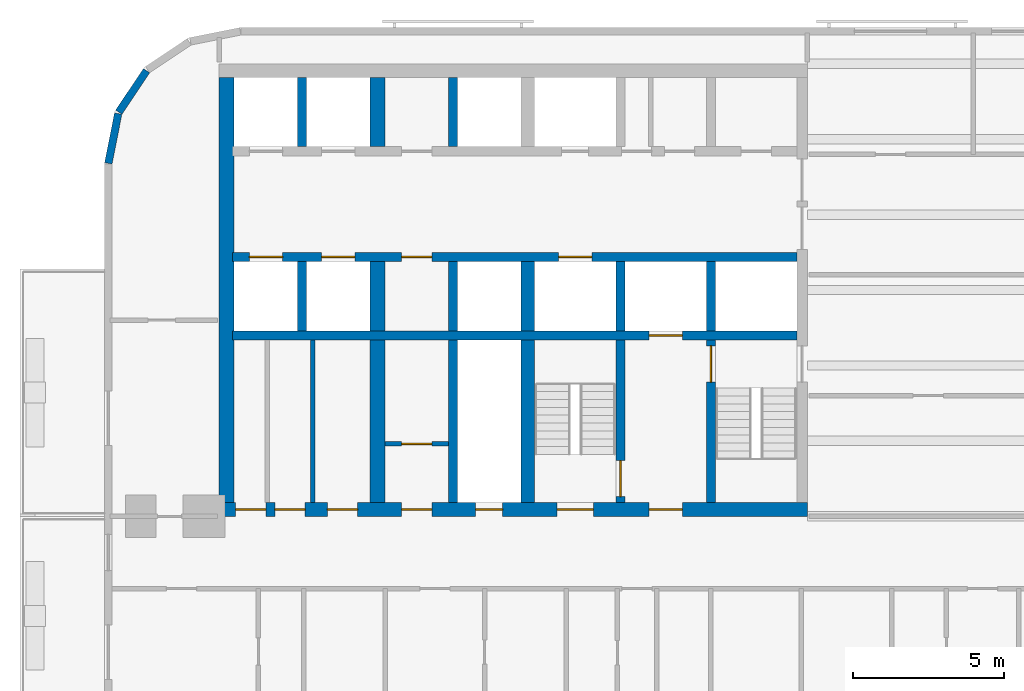
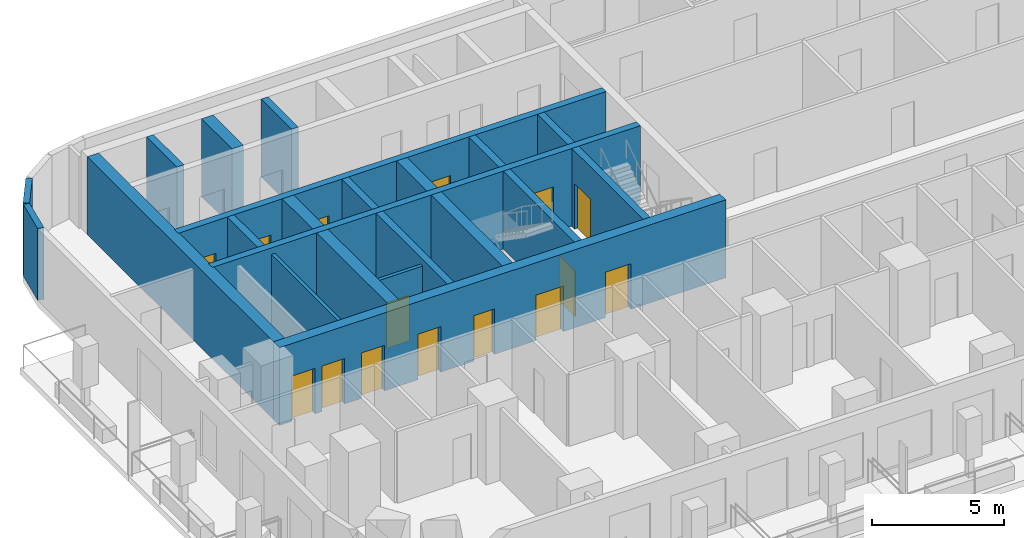
# One storey, part 3 of 14: 22 walls, 15 doors, 15 openings.
"""IFC4 building model written with IfcOpenShell, lengths in metres."""

from ifc_helpers import new_model, si_unit, direction, frame, frame_2d, origin, place, context, subcontext, project, spatial, rectangle, extrude, material, layer, layer_set, type_object, element, fill, save


model = new_model("IFC4")

# Units and contexts
model_context = context("Model", 3, precision=1e-05, world=origin(), true_north=direction((0.0, 1.0)))
body_context = subcontext(model_context, "Body", "Model", "MODEL_VIEW")
ifc_project = project(units=[si_unit("LENGTHUNIT", "METRE"), si_unit("AREAUNIT", "SQUARE_METRE"), si_unit("VOLUMEUNIT", "CUBIC_METRE"), si_unit("PLANEANGLEUNIT", "RADIAN"), si_unit("MASSUNIT", "GRAM", prefix="KILO")], contexts=[model_context])

# Site, building, storey
site_placement = place(None, origin())
site = spatial("IfcSite", under=ifc_project, at=site_placement, CompositionType="ELEMENT")
building_placement = place(site_placement, origin())
building = spatial("IfcBuilding", under=site, at=building_placement, Name="Torana Hotel and Residences", CompositionType="ELEMENT")
storey_placement = place(building_placement, frame((0.0, 0.0, 85.199951171875)))
storey = spatial("IfcBuildingStorey", under=building, at=storey_placement, Name="L21", CompositionType="ELEMENT", Elevation=85.199951171875)

# Wall, openings, doors
ifc_material_1 = material(Name="Concrete C80/95", Category="concrete")
ifc_layer_1 = layer(ifc_material_1, 0.300048828125)
ifc_layer_set_1 = layer_set([ifc_layer_1], Name="CORE WALL 300 C80/95")
wall_type_1 = type_object("IfcWallType", Name="CORE WALL 300 C80/95", PredefinedType="SHEAR", material=ifc_layer_set_1)
wall_1_placement = place(storey_placement, frame((-29.050048828125, -6.39990234375, 0.0), z_axis=(0.0, 0.0, 1.0), x_axis=(1.0, 0.0, 0.0)))
wall_1 = element("IfcWall", 1, at=wall_1_placement, inside=storey, type_object=wall_type_1, Name="Core wall W row-S", PredefinedType="SHEAR", context=body_context, shape_type="SweptSolid", body=[
    extrude(rectangle(XDim=18.699951171875, YDim=0.300048828125, at=frame_2d((9.35009765625, 0.0))), origin(), (0.0, 0.0, 1.0), 3.60009765625),
])
opening_1_placement = place(wall_1_placement, frame((2.949951171875, 0.0, 0.0)))
opening_1 = element("IfcOpeningElement", 2, at=opening_1_placement, cuts=wall_1, Name="Opening LD", PredefinedType="OPENING", context=body_context, shape_type="SweptSolid", body=[
    extrude(rectangle(XDim=1.10009765625, YDim=2.10009765625, at=frame_2d((0.550048828125, 1.050048828125))), frame((0.0, 0.159912109375, 0.0), z_axis=(0.0, -1.0, 0.0), x_axis=(1.0, 0.0, 0.0)), (0.0, 0.0, 1.0), 0.320068359375),
])
opening_2_placement = place(wall_1_placement, frame((0.550048828125, 0.0, 0.0)))
opening_2 = element("IfcOpeningElement", 3, at=opening_2_placement, cuts=wall_1, Name="Opening LD", PredefinedType="OPENING", context=body_context, shape_type="SweptSolid", body=[
    extrude(rectangle(XDim=1.10009765625, YDim=2.10009765625, at=frame_2d((0.550048828125, 1.050048828125))), frame((0.0, 0.159912109375, 0.0), z_axis=(0.0, -1.0, 0.0), x_axis=(1.0, 0.0, 0.0)), (0.0, 0.0, 1.0), 0.320068359375),
])
opening_3_placement = place(wall_1_placement, frame((10.800048828125, 0.0, 0.0)))
opening_3 = element("IfcOpeningElement", 4, at=opening_3_placement, cuts=wall_1, Name="Opening LD", PredefinedType="OPENING", context=body_context, shape_type="SweptSolid", body=[
    extrude(rectangle(XDim=1.10009765625, YDim=2.10009765625, at=frame_2d((0.550048828125, 1.050048828125))), frame((0.0, 0.159912109375, 0.0), z_axis=(0.0, -1.0, 0.0), x_axis=(1.0, 0.0, 0.0)), (0.0, 0.0, 1.0), 0.320068359375),
])
opening_4_placement = place(wall_1_placement, frame((5.60009765625, 0.0, 0.0)))
opening_4 = element("IfcOpeningElement", 5, at=opening_4_placement, cuts=wall_1, Name="Opening L21-16", PredefinedType="OPENING", context=body_context, shape_type="SweptSolid", body=[
    extrude(rectangle(XDim=1.0, YDim=2.10009765625, at=frame_2d((0.5, 1.050048828125))), frame((0.0, 0.159912109375, 0.0), z_axis=(0.0, -1.0, 0.0), x_axis=(1.0, 0.0, 0.0)), (0.0, 0.0, 1.0), 0.320068359375),
])
ifc_material_2 = material(Name="Steel S235", Category="steel")
door_type_1 = type_object("IfcDoorType", Name="CORE ROOM FIRE DOOR D14 1000x2100", OperationType="SINGLE_SWING_LEFT", PredefinedType="DOOR", material=ifc_material_2)
door_1_placement = place(opening_4_placement, frame((0.5, 0.0, 0.0), z_axis=(0.0, 0.0, 1.0), x_axis=(-1.0, 0.0, 0.0)))
door_1 = element("IfcDoor", 6, at=door_1_placement, inside=storey, type_object=door_type_1, Name="Free-M2 door L21", OperationType="SINGLE_SWING_LEFT", OverallHeight=2.10009765625, OverallWidth=1.0, PredefinedType="DOOR", context=body_context, shape_type="SweptSolid", body=[
    extrude(rectangle(XDim=1.0, YDim=2.10009765625, at=frame_2d((0.0, 1.050048828125))), frame((0.0, -0.02490234375, 0.0), z_axis=(0.0, 1.0, 0.0), x_axis=(-1.0, 0.0, 0.0)), (0.0, 0.0, 1.0), 0.050048828125),
])
fill(opening_4, door_1)
ifc_material_3 = material(Name="Stainless steel 316", Category="steel")
door_type_2 = type_object("IfcDoorType", Name="LIFT LANDING DOOR LD 1100x2100", OperationType="DOUBLE_DOOR_SLIDING", PredefinedType="USERDEFINED", material=ifc_material_3)
door_2_placement = place(opening_1_placement, origin())
door_2 = element("IfcDoor", 7, at=door_2_placement, inside=storey, type_object=door_type_2, Name="Lift landing door L3 L21", ObjectType="LIFT LANDING DOOR", OperationType="DOUBLE_DOOR_SLIDING", OverallHeight=2.10009765625, OverallWidth=1.10009765625, PredefinedType="USERDEFINED", context=body_context, shape_type="SweptSolid", body=[
    extrude(rectangle(XDim=1.10009765625, YDim=2.10009765625, at=frame_2d((0.550048828125, 1.050048828125))), frame((0.0, 0.02490234375, 0.0), z_axis=(0.0, -1.0, 0.0), x_axis=(1.0, 0.0, 0.0)), (0.0, 0.0, 1.0), 0.050048828125),
])
fill(opening_1, door_2)
door_3_placement = place(opening_2_placement, origin())
door_3 = element("IfcDoor", 8, at=door_3_placement, inside=storey, type_object=door_type_2, Name="Lift landing door L4 L21", ObjectType="LIFT LANDING DOOR", OperationType="DOUBLE_DOOR_SLIDING", OverallHeight=2.10009765625, OverallWidth=1.10009765625, PredefinedType="USERDEFINED", context=body_context, shape_type="SweptSolid", body=[
    extrude(rectangle(XDim=1.10009765625, YDim=2.10009765625, at=frame_2d((0.550048828125, 1.050048828125))), frame((0.0, 0.02490234375, 0.0), z_axis=(0.0, -1.0, 0.0), x_axis=(1.0, 0.0, 0.0)), (0.0, 0.0, 1.0), 0.050048828125),
])
fill(opening_2, door_3)
door_4_placement = place(opening_3_placement, origin())
door_4 = element("IfcDoor", 9, at=door_4_placement, inside=storey, type_object=door_type_2, Name="Lift landing door SV1 L21", ObjectType="LIFT LANDING DOOR", OperationType="DOUBLE_DOOR_SLIDING", OverallHeight=2.10009765625, OverallWidth=1.10009765625, PredefinedType="USERDEFINED", context=body_context, shape_type="SweptSolid", body=[
    extrude(rectangle(XDim=1.10009765625, YDim=2.10009765625, at=frame_2d((0.550048828125, 1.050048828125))), frame((0.0, 0.02490234375, 0.0), z_axis=(0.0, -1.0, 0.0), x_axis=(1.0, 0.0, 0.0)), (0.0, 0.0, 1.0), 0.050048828125),
])
fill(opening_3, door_4)

# Wall, opening, door
wall_2_placement = place(storey_placement, frame((-29.050048828125, -9.0, 0.0), z_axis=(0.0, 0.0, 1.0), x_axis=(1.0, 0.0, 0.0)))
wall_2 = element("IfcWall", 10, at=wall_2_placement, inside=storey, type_object=wall_type_1, Name="Core wall W band", PredefinedType="SHEAR", context=body_context, shape_type="SweptSolid", body=[
    extrude(rectangle(XDim=18.699951171875, YDim=0.300048828125, at=frame_2d((9.35009765625, 0.0))), origin(), (0.0, 0.0, 1.0), 3.60009765625),
])
opening_5_placement = place(wall_2_placement, frame((13.800048828125, 0.0, 0.0)))
opening_5 = element("IfcOpeningElement", 11, at=opening_5_placement, cuts=wall_2, Name="Opening LD", PredefinedType="OPENING", context=body_context, shape_type="SweptSolid", body=[
    extrude(rectangle(XDim=1.10009765625, YDim=2.10009765625, at=frame_2d((0.550048828125, 1.050048828125))), frame((0.0, 0.159912109375, 0.0), z_axis=(0.0, -1.0, 0.0), x_axis=(1.0, 0.0, 0.0)), (0.0, 0.0, 1.0), 0.320068359375),
])
door_5_placement = place(opening_5_placement, origin())
door_5 = element("IfcDoor", 12, at=door_5_placement, inside=storey, type_object=door_type_2, Name="Lift landing door FF1 L21", ObjectType="LIFT LANDING DOOR", OperationType="DOUBLE_DOOR_SLIDING", OverallHeight=2.10009765625, OverallWidth=1.10009765625, PredefinedType="USERDEFINED", context=body_context, shape_type="SweptSolid", body=[
    extrude(rectangle(XDim=1.10009765625, YDim=2.10009765625, at=frame_2d((0.550048828125, 1.050048828125))), frame((0.0, 0.02490234375, 0.0), z_axis=(0.0, -1.0, 0.0), x_axis=(1.0, 0.0, 0.0)), (0.0, 0.0, 1.0), 0.050048828125),
])
fill(opening_5, door_5)

# Wall
wall_3_placement = place(storey_placement, frame((-13.199951171875, -8.85009765625, 0.0), z_axis=(0.0, 0.0, 1.0), x_axis=(0.0, 1.0, 0.0)))
element("IfcWall", 13, at=wall_3_placement, inside=storey, type_object=wall_type_1, Name="Core wall W x3.05-S", PredefinedType="SHEAR", context=body_context, shape_type="SweptSolid", body=[
    extrude(rectangle(XDim=2.300048828125, YDim=0.300048828125, at=frame_2d((1.14990234375, 0.0))), origin(), (0.0, 0.0, 1.0), 3.60009765625),
])

# Wall, opening, door
wall_4_placement = place(storey_placement, frame((-13.199951171875, -14.550048828125, 0.0), z_axis=(0.0, 0.0, 1.0), x_axis=(0.0, 1.0, 0.0)))
wall_4 = element("IfcWall", 14, at=wall_4_placement, inside=storey, type_object=wall_type_1, Name="Core wall W x3.05-band", PredefinedType="SHEAR", context=body_context, shape_type="SweptSolid", body=[
    extrude(rectangle(XDim=5.400146484375, YDim=0.300048828125, at=frame_2d((2.7001953125, 0.0))), origin(), (0.0, 0.0, 1.0), 3.60009765625),
])
opening_6_placement = place(wall_4_placement, frame((4.0, 0.0, 0.0)))
opening_6 = element("IfcOpeningElement", 15, at=opening_6_placement, cuts=wall_4, Name="Opening L21-17", PredefinedType="OPENING", context=body_context, shape_type="SweptSolid", body=[
    extrude(rectangle(XDim=1.199951171875, YDim=2.10009765625, at=frame_2d((0.60009765625, 1.050048828125))), frame((0.0, 0.159912109375, 0.0), z_axis=(0.0, -1.0, 0.0), x_axis=(1.0, 0.0, 0.0)), (0.0, 0.0, 1.0), 0.320068359375),
])
ifc_material_4 = material(Name="Steel S235", Category="steel")
door_type_3 = type_object("IfcDoorType", Name="STAIR FIRE DOOR D3 1200x2100", OperationType="SINGLE_SWING_LEFT", PredefinedType="DOOR", material=ifc_material_4)
door_6_placement = place(opening_6_placement, frame((0.60009765625, 0.0, 0.0), z_axis=(0.0, 0.0, 1.0), x_axis=(-1.0, 0.0, 0.0)))
door_6 = element("IfcDoor", 16, at=door_6_placement, inside=storey, type_object=door_type_3, Name="Stair-A-lobby door L21", OperationType="SINGLE_SWING_RIGHT", OverallHeight=2.10009765625, OverallWidth=1.199951171875, PredefinedType="DOOR", context=body_context, shape_type="SweptSolid", body=[
    extrude(rectangle(XDim=1.199951171875, YDim=2.10009765625, at=frame_2d((0.0, 1.050048828125))), frame((0.0, -0.02490234375, 0.0), z_axis=(0.0, 1.0, 0.0), x_axis=(-1.0, 0.0, 0.0)), (0.0, 0.0, 1.0), 0.050048828125),
])
fill(opening_6, door_6)

# Wall
wall_5_placement = place(storey_placement, frame((-16.199951171875, -8.85009765625, 0.0), z_axis=(0.0, 0.0, 1.0), x_axis=(0.0, 1.0, 0.0)))
element("IfcWall", 17, at=wall_5_placement, inside=storey, type_object=wall_type_1, Name="Core wall W x6.05-S", PredefinedType="SHEAR", context=body_context, shape_type="SweptSolid", body=[
    extrude(rectangle(XDim=2.300048828125, YDim=0.300048828125, at=frame_2d((1.14990234375, 0.0))), origin(), (0.0, 0.0, 1.0), 3.60009765625),
])

# Wall, opening, door
wall_6_placement = place(storey_placement, frame((-16.199951171875, -14.550048828125, 0.0), z_axis=(0.0, 0.0, 1.0), x_axis=(0.0, 1.0, 0.0)))
wall_6 = element("IfcWall", 18, at=wall_6_placement, inside=storey, type_object=wall_type_1, Name="Core wall W x6.05-band", PredefinedType="SHEAR", context=body_context, shape_type="SweptSolid", body=[
    extrude(rectangle(XDim=5.400146484375, YDim=0.300048828125, at=frame_2d((2.7001953125, 0.0))), origin(), (0.0, 0.0, 1.0), 3.60009765625),
])
opening_7_placement = place(wall_6_placement, frame((0.199951171875, 0.0, 0.0)))
opening_7 = element("IfcOpeningElement", 19, at=opening_7_placement, cuts=wall_6, Name="Opening L21-18", PredefinedType="OPENING", context=body_context, shape_type="SweptSolid", body=[
    extrude(rectangle(XDim=1.199951171875, YDim=2.10009765625, at=frame_2d((0.60009765625, 1.050048828125))), frame((0.0, 0.159912109375, 0.0), z_axis=(0.0, -1.0, 0.0), x_axis=(1.0, 0.0, 0.0)), (0.0, 0.0, 1.0), 0.320068359375),
])
door_7_placement = place(opening_7_placement, origin())
door_7 = element("IfcDoor", 20, at=door_7_placement, inside=storey, type_object=door_type_3, Name="Stair-B-lobby door L21", OperationType="SINGLE_SWING_RIGHT", OverallHeight=2.10009765625, OverallWidth=1.199951171875, PredefinedType="DOOR", context=body_context, shape_type="SweptSolid", body=[
    extrude(rectangle(XDim=1.199951171875, YDim=2.10009765625, at=frame_2d((0.60009765625, 1.050048828125))), frame((0.0, 0.02490234375, 0.0), z_axis=(0.0, -1.0, 0.0), x_axis=(1.0, 0.0, 0.0)), (0.0, 0.0, 1.0), 0.050048828125),
])
fill(opening_7, door_7)

# Walls
for number, where, z_axis, x_axis, name in (
    (21, (-21.75, -2.75, 0.0), (0.0, 0.0, 1.0), (0.0, 1.0, 0.0), "Core wall W mm-N"),
    (22, (-21.75, -8.85009765625, 0.0), (0.0, 0.0, 1.0), (0.0, 1.0, 0.0), "Core wall W mm-S"),
):
    element("IfcWall", number, at=place(storey_placement, frame(where, z_axis=z_axis, x_axis=x_axis)), inside=storey, type_object=wall_type_1, Name=name, PredefinedType="SHEAR", context=body_context, shape_type="SweptSolid", body=[
        extrude(rectangle(XDim=2.300048828125, YDim=0.300048828125, at=frame_2d((1.14990234375, 0.0))), origin(), (0.0, 0.0, 1.0), 3.60009765625),
    ])
wall_7_placement = place(storey_placement, frame((-21.75, -14.550048828125, 0.0), z_axis=(0.0, 0.0, 1.0), x_axis=(0.0, 1.0, 0.0)))
element("IfcWall", 23, at=wall_7_placement, inside=storey, type_object=wall_type_1, Name="Core wall W mm-band", PredefinedType="SHEAR", context=body_context, shape_type="SweptSolid", body=[
    extrude(rectangle(XDim=5.400146484375, YDim=0.300048828125, at=frame_2d((2.7001953125, 0.0))), origin(), (0.0, 0.0, 1.0), 3.60009765625),
])
for number, where, z_axis, x_axis, name in (
    (24, (-26.75, -2.75, 0.0), (0.0, 0.0, 1.0), (0.0, 1.0, 0.0), "Core wall W ll-N"),
    (25, (-26.75, -8.85009765625, 0.0), (0.0, 0.0, 1.0), (0.0, 1.0, 0.0), "Core wall W ll-S"),
):
    element("IfcWall", number, at=place(storey_placement, frame(where, z_axis=z_axis, x_axis=x_axis)), inside=storey, type_object=wall_type_1, Name=name, PredefinedType="SHEAR", context=body_context, shape_type="SweptSolid", body=[
        extrude(rectangle(XDim=2.300048828125, YDim=0.300048828125, at=frame_2d((1.14990234375, 0.0))), origin(), (0.0, 0.0, 1.0), 3.60009765625),
    ])

# Wall, openings, doors
ifc_material_5 = material(Name="Concrete C80/95", Category="concrete")
ifc_layer_2 = layer(ifc_material_5, 0.449951171875)
ifc_layer_set_2 = layer_set([ifc_layer_2], Name="CORE WALL 450 C80/95")
wall_type_2 = type_object("IfcWallType", Name="CORE WALL 450 C80/95", PredefinedType="SHEAR", material=ifc_layer_set_2)
wall_8_placement = place(storey_placement, frame((-29.5, -14.77490234375, 0.0), z_axis=(0.0, 0.0, 1.0), x_axis=(1.0, 0.0, 0.0)))
wall_8 = element("IfcWall", 26, at=wall_8_placement, inside=storey, type_object=wall_type_2, Name="Core wall W front", PredefinedType="SHEAR", context=body_context, shape_type="SweptSolid", body=[
    extrude(rectangle(XDim=19.5, YDim=0.449951171875, at=frame_2d((9.75, 0.0))), origin(), (0.0, 0.0, 1.0), 3.60009765625),
])
opening_8_placement = place(wall_8_placement, frame((11.199951171875, 0.0, 0.0)))
opening_8 = element("IfcOpeningElement", 27, at=opening_8_placement, cuts=wall_8, Name="Opening L21-04", PredefinedType="OPENING", context=body_context, shape_type="SweptSolid", body=[
    extrude(rectangle(XDim=1.199951171875, YDim=2.10009765625, at=frame_2d((0.60009765625, 1.050048828125))), frame((0.0, 0.23486328125, 0.0), z_axis=(0.0, -1.0, 0.0), x_axis=(1.0, 0.0, 0.0)), (0.0, 0.0, 1.0), 0.469970703125),
])
opening_9_placement = place(wall_8_placement, frame((14.25, 0.0, 0.0)))
opening_9 = element("IfcOpeningElement", 28, at=opening_9_placement, cuts=wall_8, Name="Opening L21-05", PredefinedType="OPENING", context=body_context, shape_type="SweptSolid", body=[
    extrude(rectangle(XDim=1.10009765625, YDim=2.10009765625, at=frame_2d((0.550048828125, 1.050048828125))), frame((0.0, 0.23486328125, 0.0), z_axis=(0.0, -1.0, 0.0), x_axis=(1.0, 0.0, 0.0)), (0.0, 0.0, 1.0), 0.469970703125),
])
opening_10_placement = place(wall_8_placement, frame((8.5, 0.0, 0.0)))
opening_10 = element("IfcOpeningElement", 29, at=opening_10_placement, cuts=wall_8, Name="Opening L21-06", PredefinedType="OPENING", context=body_context, shape_type="SweptSolid", body=[
    extrude(rectangle(XDim=0.89990234375, YDim=2.10009765625, at=frame_2d((0.449951171875, 1.050048828125))), frame((0.0, 0.23486328125, 0.0), z_axis=(0.0, -1.0, 0.0), x_axis=(1.0, 0.0, 0.0)), (0.0, 0.0, 1.0), 0.469970703125),
])
opening_11_placement = place(wall_8_placement, frame((6.050048828125, 0.0, 0.0)))
opening_11 = element("IfcOpeningElement", 30, at=opening_11_placement, cuts=wall_8, Name="Opening L21-07", PredefinedType="OPENING", context=body_context, shape_type="SweptSolid", body=[
    extrude(rectangle(XDim=1.0, YDim=2.10009765625, at=frame_2d((0.5, 1.050048828125))), frame((0.0, 0.23486328125, 0.0), z_axis=(0.0, -1.0, 0.0), x_axis=(1.0, 0.0, 0.0)), (0.0, 0.0, 1.0), 0.469970703125),
])
opening_12_placement = place(wall_8_placement, frame((3.58740234375, 0.0, 0.0)))
opening_12 = element("IfcOpeningElement", 31, at=opening_12_placement, cuts=wall_8, Name="Opening L21-08", PredefinedType="OPENING", context=body_context, shape_type="SweptSolid", body=[
    extrude(rectangle(XDim=1.0, YDim=2.10009765625, at=frame_2d((0.5, 1.050048828125))), frame((0.0, 0.23486328125, 0.0), z_axis=(0.0, -1.0, 0.0), x_axis=(1.0, 0.0, 0.0)), (0.0, 0.0, 1.0), 0.469970703125),
])
opening_13_placement = place(wall_8_placement, frame((1.85009765625, 0.0, 0.0)))
opening_13 = element("IfcOpeningElement", 32, at=opening_13_placement, cuts=wall_8, Name="Opening L21-09", PredefinedType="OPENING", context=body_context, shape_type="SweptSolid", body=[
    extrude(rectangle(XDim=1.0, YDim=2.10009765625, at=frame_2d((0.5, 1.050048828125))), frame((0.0, 0.23486328125, 0.0), z_axis=(0.0, -1.0, 0.0), x_axis=(1.0, 0.0, 0.0)), (0.0, 0.0, 1.0), 0.469970703125),
])
opening_14_placement = place(wall_8_placement, frame((0.550048828125, 0.0, 0.0)))
opening_14 = element("IfcOpeningElement", 33, at=opening_14_placement, cuts=wall_8, Name="Opening L21-10", PredefinedType="OPENING", context=body_context, shape_type="SweptSolid", body=[
    extrude(rectangle(XDim=1.0, YDim=2.10009765625, at=frame_2d((0.5, 1.050048828125))), frame((0.0, 0.23486328125, 0.0), z_axis=(0.0, -1.0, 0.0), x_axis=(1.0, 0.0, 0.0)), (0.0, 0.0, 1.0), 0.469970703125),
])
door_8_placement = place(opening_11_placement, origin())
door_8 = element("IfcDoor", 34, at=door_8_placement, inside=storey, type_object=door_type_1, Name="M-Room-B door L21", OperationType="SINGLE_SWING_RIGHT", OverallHeight=2.10009765625, OverallWidth=1.0, PredefinedType="DOOR", context=body_context, shape_type="SweptSolid", body=[
    extrude(rectangle(XDim=1.0, YDim=2.10009765625, at=frame_2d((0.5, 1.050048828125))), frame((0.0, 0.02490234375, 0.0), z_axis=(0.0, -1.0, 0.0), x_axis=(1.0, 0.0, 0.0)), (0.0, 0.0, 1.0), 0.050048828125),
])
fill(opening_11, door_8)
door_9_placement = place(opening_12_placement, origin())
door_9 = element("IfcDoor", 35, at=door_9_placement, inside=storey, type_object=door_type_1, Name="L-A door L21", OperationType="SINGLE_SWING_RIGHT", OverallHeight=2.10009765625, OverallWidth=1.0, PredefinedType="DOOR", context=body_context, shape_type="SweptSolid", body=[
    extrude(rectangle(XDim=1.0, YDim=2.10009765625, at=frame_2d((0.5, 1.050048828125))), frame((0.0, 0.02490234375, 0.0), z_axis=(0.0, -1.0, 0.0), x_axis=(1.0, 0.0, 0.0)), (0.0, 0.0, 1.0), 0.050048828125),
])
fill(opening_12, door_9)
door_10_placement = place(opening_13_placement, origin())
door_10 = element("IfcDoor", 36, at=door_10_placement, inside=storey, type_object=door_type_1, Name="L-B door L21", OperationType="SINGLE_SWING_RIGHT", OverallHeight=2.10009765625, OverallWidth=1.0, PredefinedType="DOOR", context=body_context, shape_type="SweptSolid", body=[
    extrude(rectangle(XDim=1.0, YDim=2.10009765625, at=frame_2d((0.5, 1.050048828125))), frame((0.0, 0.02490234375, 0.0), z_axis=(0.0, -1.0, 0.0), x_axis=(1.0, 0.0, 0.0)), (0.0, 0.0, 1.0), 0.050048828125),
])
fill(opening_13, door_10)
door_11_placement = place(opening_14_placement, origin())
door_11 = element("IfcDoor", 37, at=door_11_placement, inside=storey, type_object=door_type_1, Name="L-C door L21", OperationType="SINGLE_SWING_RIGHT", OverallHeight=2.10009765625, OverallWidth=1.0, PredefinedType="DOOR", context=body_context, shape_type="SweptSolid", body=[
    extrude(rectangle(XDim=1.0, YDim=2.10009765625, at=frame_2d((0.5, 1.050048828125))), frame((0.0, 0.02490234375, 0.0), z_axis=(0.0, -1.0, 0.0), x_axis=(1.0, 0.0, 0.0)), (0.0, 0.0, 1.0), 0.050048828125),
])
fill(opening_14, door_11)
ifc_material_6 = material(Name="Steel S235", Category="steel")
door_type_4 = type_object("IfcDoorType", Name="FIRE-FIGHTING LOBBY DOOR D8 1100x2100", OperationType="SINGLE_SWING_LEFT", PredefinedType="DOOR", material=ifc_material_6)
door_12_placement = place(opening_9_placement, origin())
door_12 = element("IfcDoor", 38, at=door_12_placement, inside=storey, type_object=door_type_4, Name="FF-lobby door L21", OperationType="SINGLE_SWING_RIGHT", OverallHeight=2.10009765625, OverallWidth=1.10009765625, PredefinedType="DOOR", context=body_context, shape_type="SweptSolid", body=[
    extrude(rectangle(XDim=1.10009765625, YDim=2.10009765625, at=frame_2d((0.550048828125, 1.050048828125))), frame((0.0, 0.02490234375, 0.0), z_axis=(0.0, -1.0, 0.0), x_axis=(1.0, 0.0, 0.0)), (0.0, 0.0, 1.0), 0.050048828125),
])
fill(opening_9, door_12)
ifc_material_7 = material(Name="Steel S235", Category="steel")
door_type_5 = type_object("IfcDoorType", Name="RISER ACCESS DOOR D5 900x2100", OperationType="SINGLE_SWING_LEFT", PredefinedType="DOOR", material=ifc_material_7)
door_13_placement = place(opening_10_placement, origin())
door_13 = element("IfcDoor", 39, at=door_13_placement, inside=storey, type_object=door_type_5, Name="M-Riser door L21", OperationType="SINGLE_SWING_RIGHT", OverallHeight=2.10009765625, OverallWidth=0.89990234375, PredefinedType="DOOR", context=body_context, shape_type="SweptSolid", body=[
    extrude(rectangle(XDim=0.89990234375, YDim=2.10009765625, at=frame_2d((0.449951171875, 1.050048828125))), frame((0.0, 0.02490234375, 0.0), z_axis=(0.0, -1.0, 0.0), x_axis=(1.0, 0.0, 0.0)), (0.0, 0.0, 1.0), 0.050048828125),
])
fill(opening_10, door_13)
door_14_placement = place(opening_8_placement, origin())
door_14 = element("IfcDoor", 40, at=door_14_placement, inside=storey, type_object=door_type_3, Name="Stair-B door L21", OperationType="SINGLE_SWING_RIGHT", OverallHeight=2.10009765625, OverallWidth=1.199951171875, PredefinedType="DOOR", context=body_context, shape_type="SweptSolid", body=[
    extrude(rectangle(XDim=1.199951171875, YDim=2.10009765625, at=frame_2d((0.60009765625, 1.050048828125))), frame((0.0, 0.02490234375, 0.0), z_axis=(0.0, -1.0, 0.0), x_axis=(1.0, 0.0, 0.0)), (0.0, 0.0, 1.0), 0.050048828125),
])
fill(opening_8, door_14)

# Walls
wall_9_placement = place(storey_placement, frame((-19.27490234375, -8.85009765625, 0.0), z_axis=(0.0, 0.0, 1.0), x_axis=(0.0, 1.0, 0.0)))
element("IfcWall", 41, at=wall_9_placement, inside=storey, type_object=wall_type_2, Name="Core wall W hm-S", PredefinedType="SHEAR", context=body_context, shape_type="SweptSolid", body=[
    extrude(rectangle(XDim=2.300048828125, YDim=0.449951171875, at=frame_2d((1.14990234375, 0.0))), origin(), (0.0, 0.0, 1.0), 3.60009765625),
])
wall_10_placement = place(storey_placement, frame((-19.27490234375, -14.550048828125, 0.0), z_axis=(0.0, 0.0, 1.0), x_axis=(0.0, 1.0, 0.0)))
element("IfcWall", 42, at=wall_10_placement, inside=storey, type_object=wall_type_2, Name="Core wall W hm-band", PredefinedType="SHEAR", context=body_context, shape_type="SweptSolid", body=[
    extrude(rectangle(XDim=5.400146484375, YDim=0.449951171875, at=frame_2d((2.7001953125, 0.0))), origin(), (0.0, 0.0, 1.0), 3.60009765625),
])
ifc_material_8 = material(Name="Concrete C80/95", Category="concrete")
ifc_layer_3 = layer(ifc_material_8, 0.5)
ifc_layer_set_3 = layer_set([ifc_layer_3], Name="CORE WALL 500 C80/95")
wall_type_3 = type_object("IfcWallType", Name="CORE WALL 500 C80/95", PredefinedType="SHEAR", material=ifc_layer_set_3)
wall_11_placement = place(storey_placement, frame((-29.25, -14.550048828125, 0.0), z_axis=(0.0, 0.0, 1.0), x_axis=(0.0, 1.0, 0.0)))
element("IfcWall", 43, at=wall_11_placement, inside=storey, type_object=wall_type_3, Name="Core wall W outer", PredefinedType="SHEAR", context=body_context, shape_type="SweptSolid", body=[
    extrude(rectangle(XDim=14.10009765625, YDim=0.5, at=frame_2d((7.050048828125, 0.0))), origin(), (0.0, 0.0, 1.0), 3.60009765625),
])
for number, where, z_axis, x_axis, name in (
    (44, (-24.25, -2.75, 0.0), (0.0, 0.0, 1.0), (0.0, 1.0, 0.0), "Core wall W ml-N"),
    (45, (-24.25, -8.85009765625, 0.0), (0.0, 0.0, 1.0), (0.0, 1.0, 0.0), "Core wall W ml-S"),
):
    element("IfcWall", number, at=place(storey_placement, frame(where, z_axis=z_axis, x_axis=x_axis)), inside=storey, type_object=wall_type_3, Name=name, PredefinedType="SHEAR", context=body_context, shape_type="SweptSolid", body=[
        extrude(rectangle(XDim=2.300048828125, YDim=0.5, at=frame_2d((1.14990234375, 0.0))), origin(), (0.0, 0.0, 1.0), 3.60009765625),
    ])
wall_12_placement = place(storey_placement, frame((-24.25, -14.550048828125, 0.0), z_axis=(0.0, 0.0, 1.0), x_axis=(0.0, 1.0, 0.0)))
element("IfcWall", 46, at=wall_12_placement, inside=storey, type_object=wall_type_3, Name="Core wall W ml-band", PredefinedType="SHEAR", context=body_context, shape_type="SweptSolid", body=[
    extrude(rectangle(XDim=5.400146484375, YDim=0.5, at=frame_2d((2.7001953125, 0.0))), origin(), (0.0, 0.0, 1.0), 3.60009765625),
])
ifc_material_9 = material(Name="Black aluminium composite panel", Category="aluminium")
ifc_layer_4 = layer(ifc_material_9, 0.00390625, Name="Cladding", Category="cladding")
ifc_material_10 = material(Name="Ventilated air cavity")
ifc_layer_5 = layer(ifc_material_10, 0.0400390625, Name="Ventilated cavity", Category="cavity")
ifc_material_11 = material(Name="Mineral wool insulation")
ifc_layer_6 = layer(ifc_material_11, 0.090087890625, Name="Insulation", Category="insulation")
ifc_material_12 = material(Name="Steel S280GD", Category="steel")
ifc_layer_7 = layer(ifc_material_12, 0.092041015625, Name="Steel stud frame", Category="structure")
ifc_material_13 = material(Name="Fire rated plasterboard")
ifc_layer_8 = layer(ifc_material_13, 0.011962890625, Name="Inner board", Category="finish")
ifc_layer_9 = layer(ifc_material_13, 0.011962890625, Name="Second board", Category="finish")
ifc_layer_set_4 = layer_set([ifc_layer_4, ifc_layer_5, ifc_layer_6, ifc_layer_7, ifc_layer_8, ifc_layer_9], Name="EW1 EXTERNAL WALL BLACK METAL CLAD 250")
wall_type_4 = type_object("IfcWallType", Name="EW1 EXTERNAL WALL BLACK METAL CLAD 250", PredefinedType="SOLIDWALL", material=ifc_layer_set_4)
wall_13_placement = place(storey_placement, frame((-31.90576171875, -0.228759765625, 0.0), z_axis=(0.0, 0.0, 1.0), x_axis=(-0.55555029066, -0.831482937015, 0.0)))
element("IfcWall", 47, at=wall_13_placement, inside=storey, type_object=wall_type_4, Name="External wall L21 e0.7", PredefinedType="SOLIDWALL", context=body_context, shape_type="SweptSolid", body=[
    extrude(rectangle(XDim=1.65625, YDim=0.25, at=frame_2d((0.828125, 0.0))), origin(), (0.0, 0.0, 1.0), 3.320068359375),
])
wall_14_placement = place(storey_placement, frame((-32.844482421875, -1.651123046875, 0.0), z_axis=(0.0, 0.0, 1.0), x_axis=(-0.19513878023, -0.980775640221, 0.0)))
element("IfcWall", 48, at=wall_14_placement, inside=storey, type_object=wall_type_4, Name="External wall L21 e0.8", PredefinedType="SOLIDWALL", context=body_context, shape_type="SweptSolid", body=[
    extrude(rectangle(XDim=1.681396484375, YDim=0.25, at=frame_2d((0.8408203125, 0.0))), origin(), (0.0, 0.0, 1.0), 3.320068359375),
])

# Wall, opening, door
ifc_material_14 = material(Name="Gypsum plaster")
ifc_layer_10 = layer(ifc_material_14, 0.014892578125, Name="Plaster", Category="finish")
ifc_material_15 = material(Name="Concrete blockwork", Category="masonry")
ifc_layer_11 = layer(ifc_material_15, 0.1201171875, Name="Blockwork", Category="structure")
ifc_layer_12 = layer(ifc_material_14, 0.014892578125, Name="Plaster", Category="finish")
ifc_layer_set_5 = layer_set([ifc_layer_10, ifc_layer_11, ifc_layer_12], Name="FIRE PARTITION 150 BLOCKWORK")
wall_type_5 = type_object("IfcWallType", Name="FIRE PARTITION 150 BLOCKWORK", PredefinedType="PARTITIONING", material=ifc_layer_set_5)
wall_15_placement = place(storey_placement, frame((-24.0, -12.60009765625, 0.0), z_axis=(0.0, 0.0, 1.0), x_axis=(1.0, 0.0, 0.0)))
wall_15 = element("IfcWall", 49, at=wall_15_placement, inside=storey, type_object=wall_type_5, Name="Core partition L21", PredefinedType="PARTITIONING", context=body_context, shape_type="SweptSolid", body=[
    extrude(rectangle(XDim=2.10009765625, YDim=0.14990234375, at=frame_2d((1.050048828125, 0.0))), origin(), (0.0, 0.0, 1.0), 3.300048828125),
])
opening_15_placement = place(wall_15_placement, frame((0.550048828125, 0.0, 0.0)))
opening_15 = element("IfcOpeningElement", 50, at=opening_15_placement, cuts=wall_15, Name="Opening L21-37", PredefinedType="OPENING", context=body_context, shape_type="SweptSolid", body=[
    extrude(rectangle(XDim=1.0, YDim=2.10009765625, at=frame_2d((0.5, 1.050048828125))), frame((0.0, 0.0849609375, 0.0), z_axis=(0.0, -1.0, 0.0), x_axis=(1.0, 0.0, 0.0)), (0.0, 0.0, 1.0), 0.169921875),
])
door_15_placement = place(opening_15_placement, origin())
door_15 = element("IfcDoor", 51, at=door_15_placement, inside=storey, type_object=door_type_1, Name="Plant room door L21", OperationType="SINGLE_SWING_RIGHT", OverallHeight=2.10009765625, OverallWidth=1.0, PredefinedType="DOOR", context=body_context, shape_type="SweptSolid", body=[
    extrude(rectangle(XDim=1.0, YDim=2.10009765625, at=frame_2d((0.5, 1.050048828125))), frame((0.0, 0.02490234375, 0.0), z_axis=(0.0, -1.0, 0.0), x_axis=(1.0, 0.0, 0.0)), (0.0, 0.0, 1.0), 0.050048828125),
])
fill(opening_15, door_15)

# Wall
wall_16_placement = place(storey_placement, frame((-26.39990234375, -14.550048828125, 0.0), z_axis=(0.0, 0.0, 1.0), x_axis=(0.0, 1.0, 0.0)))
element("IfcWall", 52, at=wall_16_placement, inside=storey, type_object=wall_type_5, Name="Core partition L21", PredefinedType="PARTITIONING", context=body_context, shape_type="SweptSolid", body=[
    extrude(rectangle(XDim=5.400146484375, YDim=0.14990234375, at=frame_2d((2.7001953125, 0.0))), origin(), (0.0, 0.0, 1.0), 3.300048828125),
])

save(model, "model.ifc")
